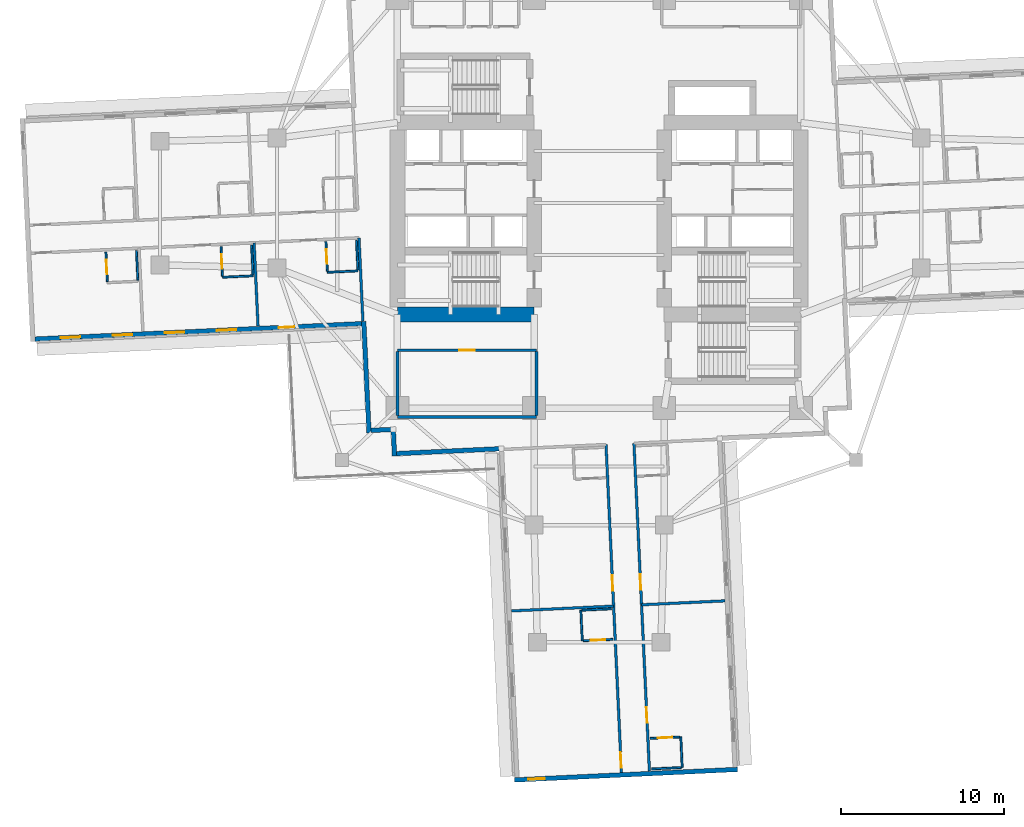
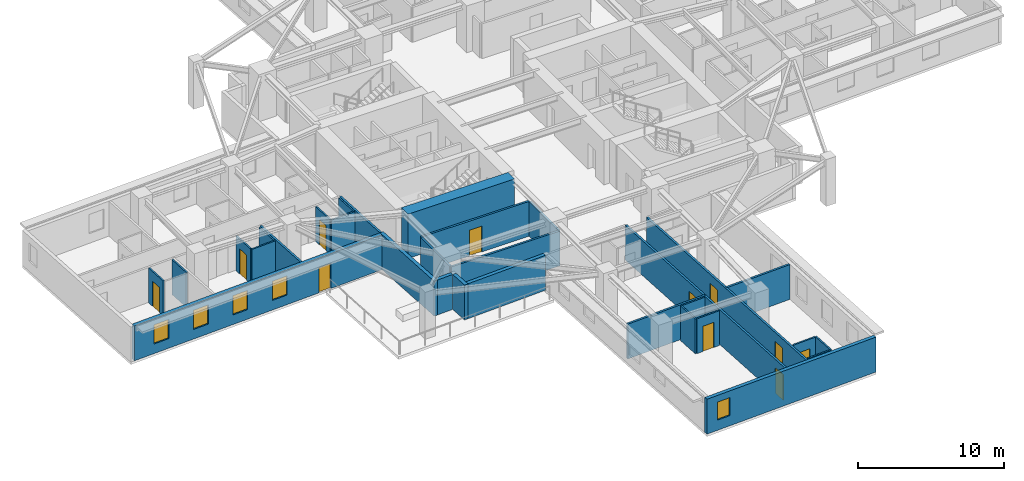
# One storey, part 3 of 14: 31 walls, 11 doors, 5 windows, 16 openings.
"""IFC4 building model written with IfcOpenShell, lengths in metres."""

from ifc_helpers import new_model, si_unit, direction, frame, frame_2d, origin, place, context, subcontext, project, spatial, rectangle, extrude, material, layer, layer_set, type_object, element, fill, save


model = new_model("IFC4")

# Units and contexts
model_context = context("Model", 3, precision=1e-05, world=origin(), true_north=direction((0.0, 1.0)))
body_context = subcontext(model_context, "Body", "Model", "MODEL_VIEW")
ifc_project = project(units=[si_unit("LENGTHUNIT", "METRE"), si_unit("AREAUNIT", "SQUARE_METRE"), si_unit("VOLUMEUNIT", "CUBIC_METRE"), si_unit("PLANEANGLEUNIT", "RADIAN"), si_unit("MASSUNIT", "GRAM", prefix="KILO")], contexts=[model_context])

# Site, building, storey
site_placement = place(None, origin())
site = spatial("IfcSite", under=ifc_project, at=site_placement, CompositionType="ELEMENT")
building_placement = place(site_placement, origin())
building = spatial("IfcBuilding", under=site, at=building_placement, Name="Qingluan Cross Belvedere", CompositionType="ELEMENT")
storey_placement = place(building_placement, frame((0.0, 0.0, 52.199951171875)))
storey = spatial("IfcBuildingStorey", under=building, at=storey_placement, Name="L13", CompositionType="ELEMENT", Elevation=52.199951171875)

# Walls
ifc_material_1 = material(Name="Concrete C70", Category="concrete")
ifc_layer_1 = layer(ifc_material_1, 0.89990234375, Name="CoreShearWall_900")
ifc_layer_set_1 = layer_set([ifc_layer_1], Name="Concrete C70")
wall_type_1 = type_object("IfcWallType", Name="CoreShearWall_900", PredefinedType="SHEAR", material=ifc_layer_set_1)
wall_1_placement = place(storey_placement, frame((-12.39990234375, -6.85009765625, 0.0), z_axis=(0.0, 0.0, 1.0), x_axis=(1.0, 0.0, 0.0)))
element("IfcWall", 1, at=wall_1_placement, inside=storey, type_object=wall_type_1, Name="Split core W shear wall L13-S", PredefinedType="SHEAR", context=body_context, shape_type="SweptSolid", body=[
    extrude(rectangle(XDim=8.39990234375, YDim=0.89990234375, at=frame_2d((4.199951171875, 0.0))), origin(), (0.0, 0.0, 1.0), 3.699951171875),
])
ifc_material_2 = material(Name="Gypsum plasterboard on steel stud acoustic partition", Category="steel")
ifc_layer_2 = layer(ifc_material_2, 0.159912109375, Name="CorridorPartition_160")
ifc_layer_set_2 = layer_set([ifc_layer_2], Name="Gypsum plasterboard on steel stud acoustic partition")
wall_type_2 = type_object("IfcWallType", Name="CorridorPartition_160", PredefinedType="PARTITIONING", material=ifc_layer_set_2)
wall_2_placement = place(storey_placement, frame((-12.39990234375, -13.14990234375, 0.0), z_axis=(0.0, 0.0, 1.0), x_axis=(1.0, 0.0, 0.0)))
element("IfcWall", 2, at=wall_2_placement, inside=storey, type_object=wall_type_2, Name="Partition L13:q_sw:S", PredefinedType="PARTITIONING", context=body_context, shape_type="SweptSolid", body=[
    extrude(rectangle(XDim=8.5498046875, YDim=0.159912109375, at=frame_2d((4.27490234375, 0.0))), origin(), (0.0, 0.0, 1.0), 2.900146484375),
])

# Wall, opening, door
wall_3_placement = place(storey_placement, frame((-12.39990234375, -9.050048828125, 0.0), z_axis=(0.0, 0.0, 1.0), x_axis=(1.0, 0.0, 0.0)))
wall_3 = element("IfcWall", 3, at=wall_3_placement, inside=storey, type_object=wall_type_2, Name="Partition L13:q_sw:N", PredefinedType="PARTITIONING", context=body_context, shape_type="SweptSolid", body=[
    extrude(rectangle(XDim=8.5498046875, YDim=0.159912109375, at=frame_2d((4.27490234375, 0.0))), origin(), (0.0, 0.0, 1.0), 2.900146484375),
])
opening_1_placement = place(wall_3_placement, frame((3.794921875, 0.0, 0.0)))
opening_1 = element("IfcOpeningElement", 4, at=opening_1_placement, cuts=wall_3, Name="Opening GD-10", PredefinedType="OPENING", context=body_context, shape_type="SweptSolid", body=[
    extrude(rectangle(XDim=0.9599609375, YDim=2.14990234375, at=frame_2d((0.47998046875, 1.074951171875))), frame((0.0, 0.08984375, 0.0), z_axis=(0.0, -1.0, 0.0), x_axis=(1.0, 0.0, 0.0)), (0.0, 0.0, 1.0), 0.179931640625),
])
ifc_material_3 = material(Name="Timber oak fire-rated acoustic guestroom door", Category="wood")
door_type_1 = type_object("IfcDoorType", Name="GuestEntryDoor_FD60", OperationType="NOTDEFINED", PredefinedType="DOOR", material=ifc_material_3)
door_1_placement = place(opening_1_placement, origin())
door_1 = element("IfcDoor", 5, at=door_1_placement, inside=storey, type_object=door_type_1, Name="Spa treatment suite L13 door", OperationType="SINGLE_SWING_RIGHT", OverallHeight=2.14990234375, OverallWidth=0.9599609375, PredefinedType="DOOR", context=body_context, shape_type="SweptSolid", body=[
    extrude(rectangle(XDim=0.9599609375, YDim=2.14990234375, at=frame_2d((0.47998046875, 1.074951171875))), frame((0.0, 0.02490234375, 0.0), z_axis=(0.0, -1.0, 0.0), x_axis=(1.0, 0.0, 0.0)), (0.0, 0.0, 1.0), 0.050048828125),
])
fill(opening_1, door_1)

# Walls
for number, where, z_axis, x_axis, name in (
    (6, (-12.39990234375, -13.06494140625, 0.0), (0.0, 0.0, 1.0), (0.0, 1.0, 0.0), "Partition L13:q_sw:W"),
    (7, (-3.85009765625, -13.06494140625, 0.0), (0.0, 0.0, 1.0), (0.0, 1.0, 0.0), "Partition L13:q_sw:E"),
):
    element("IfcWall", number, at=place(storey_placement, frame(where, z_axis=z_axis, x_axis=x_axis)), inside=storey, type_object=wall_type_2, Name=name, PredefinedType="PARTITIONING", context=body_context, shape_type="SweptSolid", body=[
        extrude(rectangle(XDim=3.929931640625, YDim=0.159912109375, at=frame_2d((1.96484375, 0.0))), origin(), (0.0, 0.0, 1.0), 2.900146484375),
    ])
for number, where, z_axis, x_axis, name in (
    (8, (-14.765625, -2.137939453125, 0.0), (0.0, 0.0, 1.0), (0.047095033298, -0.998890413328, 0.0), "Partition L13:W:s1"),
    (9, (-21.21337890625, -2.44189453125, 0.0), (0.0, 0.0, 1.0), (0.047095033298, -0.998890413328, 0.0), "Partition L13:W:d1_0"),
):
    element("IfcWall", number, at=place(storey_placement, frame(where, z_axis=z_axis, x_axis=x_axis)), inside=storey, type_object=wall_type_2, Name=name, PredefinedType="PARTITIONING", context=body_context, shape_type="SweptSolid", body=[
        extrude(rectangle(XDim=5.132080078125, YDim=0.159912109375, at=frame_2d((2.56591796875, 0.0))), origin(), (0.0, 0.0, 1.0), 2.900146484375),
    ])

# Wall, openings, doors
wall_4_placement = place(storey_placement, frame((2.137939453125, -14.765625, 0.0), z_axis=(0.0, 0.0, 1.0), x_axis=(0.047105352469, -0.998889926753, 0.0)))
wall_4 = element("IfcWall", 10, at=wall_4_placement, inside=storey, type_object=wall_type_2, Name="Partition L13:S:c0", PredefinedType="PARTITIONING", context=body_context, shape_type="SweptSolid", body=[
    extrude(rectangle(XDim=20.18212890625, YDim=0.159912109375, at=frame_2d((10.091064453125, 0.0))), origin(), (0.0, 0.0, 1.0), 2.900146484375),
])
opening_2_placement = place(wall_4_placement, frame((8.047119140625, 0.0, 0.0)))
opening_2 = element("IfcOpeningElement", 11, at=opening_2_placement, cuts=wall_4, Name="Opening GD-10", PredefinedType="OPENING", context=body_context, shape_type="SweptSolid", body=[
    extrude(rectangle(XDim=0.9599609375, YDim=2.14990234375, at=frame_2d((0.47998046875, 1.074951171875))), frame((0.0, 0.08984375, 0.0), z_axis=(0.0, -1.0, 0.0), x_axis=(1.0, 0.0, 0.0)), (0.0, 0.0, 1.0), 0.179931640625),
])
opening_3_placement = place(wall_4_placement, frame((16.242919921875, 0.0, 0.0)))
opening_3 = element("IfcOpeningElement", 12, at=opening_3_placement, cuts=wall_4, Name="Opening GD-10", PredefinedType="OPENING", context=body_context, shape_type="SweptSolid", body=[
    extrude(rectangle(XDim=0.9599609375, YDim=2.14990234375, at=frame_2d((0.47998046875, 1.074951171875))), frame((0.0, 0.08984375, 0.0), z_axis=(0.0, -1.0, 0.0), x_axis=(1.0, 0.0, 0.0)), (0.0, 0.0, 1.0), 0.179931640625),
])
door_2_placement = place(opening_2_placement, origin())
door_2 = element("IfcDoor", 13, at=door_2_placement, inside=storey, type_object=door_type_1, Name="Guest entry fire door 1317", OperationType="SINGLE_SWING_LEFT", OverallHeight=2.14990234375, OverallWidth=0.9599609375, PredefinedType="DOOR", context=body_context, shape_type="SweptSolid", body=[
    extrude(rectangle(XDim=0.9599609375, YDim=2.14990234375, at=frame_2d((0.47998046875, 1.074951171875))), frame((0.0, 0.02490234375, 0.0), z_axis=(0.0, -1.0, 0.0), x_axis=(1.0, 0.0, 0.0)), (0.0, 0.0, 1.0), 0.050048828125),
])
fill(opening_2, door_2)
door_3_placement = place(opening_3_placement, origin())
door_3 = element("IfcDoor", 14, at=door_3_placement, inside=storey, type_object=door_type_1, Name="Guest entry fire door 1318", OperationType="SINGLE_SWING_LEFT", OverallHeight=2.14990234375, OverallWidth=0.9599609375, PredefinedType="DOOR", context=body_context, shape_type="SweptSolid", body=[
    extrude(rectangle(XDim=0.9599609375, YDim=2.14990234375, at=frame_2d((0.47998046875, 1.074951171875))), frame((0.0, 0.02490234375, 0.0), z_axis=(0.0, -1.0, 0.0), x_axis=(1.0, 0.0, 0.0)), (0.0, 0.0, 1.0), 0.050048828125),
])
fill(opening_3, door_3)

# Wall
wall_5_placement = place(storey_placement, frame((2.606201171875, -24.695556640625, 0.0), z_axis=(0.0, 0.0, 1.0), x_axis=(0.998890307811, 0.047097271264, 0.0)))
element("IfcWall", 15, at=wall_5_placement, inside=storey, type_object=wall_type_2, Name="Partition L13:S:d0_0", PredefinedType="PARTITIONING", context=body_context, shape_type="SweptSolid", body=[
    extrude(rectangle(XDim=5.1318359375, YDim=0.159912109375, at=frame_2d((2.56591796875, 0.0))), origin(), (0.0, 0.0, 1.0), 2.900146484375),
])

# Wall, openings, doors
wall_6_placement = place(storey_placement, frame((0.419921875, -14.8466796875, 0.0), z_axis=(0.0, 0.0, 1.0), x_axis=(0.047105352469, -0.998889926753, 0.0)))
wall_6 = element("IfcWall", 16, at=wall_6_placement, inside=storey, type_object=wall_type_2, Name="Partition L13:S:c1", PredefinedType="PARTITIONING", context=body_context, shape_type="SweptSolid", body=[
    extrude(rectangle(XDim=20.18212890625, YDim=0.159912109375, at=frame_2d((10.091064453125, 0.0))), origin(), (0.0, 0.0, 1.0), 2.900146484375),
])
opening_4_placement = place(wall_6_placement, frame((8.047119140625, 0.0, 0.0)))
opening_4 = element("IfcOpeningElement", 17, at=opening_4_placement, cuts=wall_6, Name="Opening GD-10", PredefinedType="OPENING", context=body_context, shape_type="SweptSolid", body=[
    extrude(rectangle(XDim=0.9599609375, YDim=2.14990234375, at=frame_2d((0.47998046875, 1.074951171875))), frame((0.0, 0.08984375, 0.0), z_axis=(0.0, -1.0, 0.0), x_axis=(1.0, 0.0, 0.0)), (0.0, 0.0, 1.0), 0.179931640625),
])
opening_5_placement = place(wall_6_placement, frame((18.929931640625, 0.0, 0.0)))
opening_5 = element("IfcOpeningElement", 18, at=opening_5_placement, cuts=wall_6, Name="Opening GD-10", PredefinedType="OPENING", context=body_context, shape_type="SweptSolid", body=[
    extrude(rectangle(XDim=0.9599609375, YDim=2.14990234375, at=frame_2d((0.47998046875, 1.074951171875))), frame((0.0, 0.08984375, 0.0), z_axis=(0.0, -1.0, 0.0), x_axis=(1.0, 0.0, 0.0)), (0.0, 0.0, 1.0), 0.179931640625),
])
door_4_placement = place(opening_4_placement, origin())
door_4 = element("IfcDoor", 19, at=door_4_placement, inside=storey, type_object=door_type_1, Name="Guest entry fire door 1319", OperationType="SINGLE_SWING_LEFT", OverallHeight=2.14990234375, OverallWidth=0.9599609375, PredefinedType="DOOR", context=body_context, shape_type="SweptSolid", body=[
    extrude(rectangle(XDim=0.9599609375, YDim=2.14990234375, at=frame_2d((0.47998046875, 1.074951171875))), frame((0.0, 0.02490234375, 0.0), z_axis=(0.0, -1.0, 0.0), x_axis=(1.0, 0.0, 0.0)), (0.0, 0.0, 1.0), 0.050048828125),
])
fill(opening_4, door_4)
door_5_placement = place(opening_5_placement, origin())
door_5 = element("IfcDoor", 20, at=door_5_placement, inside=storey, type_object=door_type_1, Name="Guest entry fire door 1320", OperationType="SINGLE_SWING_LEFT", OverallHeight=2.14990234375, OverallWidth=0.9599609375, PredefinedType="DOOR", context=body_context, shape_type="SweptSolid", body=[
    extrude(rectangle(XDim=0.9599609375, YDim=2.14990234375, at=frame_2d((0.47998046875, 1.074951171875))), frame((0.0, 0.02490234375, 0.0), z_axis=(0.0, -1.0, 0.0), x_axis=(1.0, 0.0, 0.0)), (0.0, 0.0, 1.0), 0.050048828125),
])
fill(opening_5, door_5)

# Wall
wall_7_placement = place(storey_placement, frame((0.88818359375, -24.776611328125, 0.0), z_axis=(0.0, 0.0, 1.0), x_axis=(-0.998889977605, -0.047104274115, 0.0)))
element("IfcWall", 21, at=wall_7_placement, inside=storey, type_object=wall_type_2, Name="Partition L13:S:d1_0", PredefinedType="PARTITIONING", context=body_context, shape_type="SweptSolid", body=[
    extrude(rectangle(XDim=6.292236328125, YDim=0.159912109375, at=frame_2d((3.14599609375, 0.0))), origin(), (0.0, 0.0, 1.0), 2.900146484375),
])

# Wall, opening, door
ifc_material_4 = material(Name="Moisture-resistant gypsum board lining")
ifc_layer_3 = layer(ifc_material_4, 0.1201171875, Name="EnsuiteWetPartition_120")
ifc_layer_set_3 = layer_set([ifc_layer_3], Name="Moisture-resistant gypsum board lining")
wall_type_3 = type_object("IfcWallType", Name="EnsuiteWetPartition_120", PredefinedType="PARTITIONING", material=ifc_layer_set_3)
wall_8_placement = place(storey_placement, frame((-16.711181640625, -4.19189453125, 0.0), z_axis=(0.0, 0.0, 1.0), x_axis=(-0.047080807099, 0.998891083954, 0.0)))
wall_8 = element("IfcWall", 22, at=wall_8_placement, inside=storey, type_object=wall_type_3, Name="Partition L13:W:bs1_0", PredefinedType="PARTITIONING", context=body_context, shape_type="SweptSolid", body=[
    extrude(rectangle(XDim=1.820068359375, YDim=0.1201171875, at=frame_2d((0.91015625, 0.0))), origin(), (0.0, 0.0, 1.0), 2.900146484375),
])
opening_6_placement = place(wall_8_placement, frame((0.469970703125, 0.0, 0.0)))
opening_6 = element("IfcOpeningElement", 23, at=opening_6_placement, cuts=wall_8, Name="Opening BD-09", PredefinedType="OPENING", context=body_context, shape_type="SweptSolid", body=[
    extrude(rectangle(XDim=0.8798828125, YDim=2.10009765625, at=frame_2d((0.43994140625, 1.050048828125))), frame((0.0, 0.070068359375, 0.0), z_axis=(0.0, -1.0, 0.0), x_axis=(1.0, 0.0, 0.0)), (0.0, 0.0, 1.0), 0.14013671875),
])
ifc_material_5 = material(Name="Moisture-sealed timber en-suite door", Category="wood")
door_type_2 = type_object("IfcDoorType", Name="BathroomDoor_880", OperationType="NOTDEFINED", PredefinedType="DOOR", material=ifc_material_5)
door_6_placement = place(opening_6_placement, origin())
door_6 = element("IfcDoor", 24, at=door_6_placement, inside=storey, type_object=door_type_2, Name="Bathroom door 1310", OperationType="SINGLE_SWING_RIGHT", OverallHeight=2.10009765625, OverallWidth=0.8798828125, PredefinedType="DOOR", context=body_context, shape_type="SweptSolid", body=[
    extrude(rectangle(XDim=0.8798828125, YDim=2.10009765625, at=frame_2d((0.43994140625, 1.050048828125))), frame((0.0, 0.02490234375, 0.0), z_axis=(0.0, -1.0, 0.0), x_axis=(1.0, 0.0, 0.0)), (0.0, 0.0, 1.0), 0.050048828125),
])
fill(opening_6, door_6)

# Walls
wall_9_placement = place(storey_placement, frame((-14.833251953125, -4.103271484375, 0.0), z_axis=(0.0, 0.0, 1.0), x_axis=(-0.047087116047, 0.998890786574, 0.0)))
element("IfcWall", 25, at=wall_9_placement, inside=storey, type_object=wall_type_3, Name="Partition L13:W:bw1_0", PredefinedType="PARTITIONING", context=body_context, shape_type="SweptSolid", body=[
    extrude(rectangle(XDim=1.81982421875, YDim=0.1201171875, at=frame_2d((0.909912109375, 0.0))), origin(), (0.0, 0.0, 1.0), 2.900146484375),
])
wall_10_placement = place(storey_placement, frame((-14.830078125, -4.168212890625, 0.0), z_axis=(0.0, 0.0, 1.0), x_axis=(-0.998888319371, -0.047139425368, 0.0)))
element("IfcWall", 26, at=wall_10_placement, inside=storey, type_object=wall_type_3, Name="Partition L13:W:bc1_0", PredefinedType="PARTITIONING", context=body_context, shape_type="SweptSolid", body=[
    extrude(rectangle(XDim=1.880126953125, YDim=0.1201171875, at=frame_2d((0.93994140625, 0.0))), origin(), (0.0, 0.0, 1.0), 2.900146484375),
])

# Wall, opening, door
wall_11_placement = place(storey_placement, frame((-23.158935546875, -4.495849609375, 0.0), z_axis=(0.0, 0.0, 1.0), x_axis=(-0.047087116047, 0.998890786574, 0.0)))
wall_11 = element("IfcWall", 27, at=wall_11_placement, inside=storey, type_object=wall_type_3, Name="Partition L13:W:bs1_1", PredefinedType="PARTITIONING", context=body_context, shape_type="SweptSolid", body=[
    extrude(rectangle(XDim=1.81982421875, YDim=0.1201171875, at=frame_2d((0.909912109375, 0.0))), origin(), (0.0, 0.0, 1.0), 2.900146484375),
])
opening_7_placement = place(wall_11_placement, frame((0.469970703125, 0.0, 0.0)))
opening_7 = element("IfcOpeningElement", 28, at=opening_7_placement, cuts=wall_11, Name="Opening BD-09", PredefinedType="OPENING", context=body_context, shape_type="SweptSolid", body=[
    extrude(rectangle(XDim=0.8798828125, YDim=2.10009765625, at=frame_2d((0.43994140625, 1.050048828125))), frame((0.0, 0.070068359375, 0.0), z_axis=(0.0, -1.0, 0.0), x_axis=(1.0, 0.0, 0.0)), (0.0, 0.0, 1.0), 0.14013671875),
])
door_7_placement = place(opening_7_placement, origin())
door_7 = element("IfcDoor", 29, at=door_7_placement, inside=storey, type_object=door_type_2, Name="Bathroom door 1311", OperationType="SINGLE_SWING_RIGHT", OverallHeight=2.10009765625, OverallWidth=0.8798828125, PredefinedType="DOOR", context=body_context, shape_type="SweptSolid", body=[
    extrude(rectangle(XDim=0.8798828125, YDim=2.10009765625, at=frame_2d((0.43994140625, 1.050048828125))), frame((0.0, 0.02490234375, 0.0), z_axis=(0.0, -1.0, 0.0), x_axis=(1.0, 0.0, 0.0)), (0.0, 0.0, 1.0), 0.050048828125),
])
fill(opening_7, door_7)

# Walls
wall_12_placement = place(storey_placement, frame((-21.281005859375, -4.407470703125, 0.0), z_axis=(0.0, 0.0, 1.0), x_axis=(-0.047080807099, 0.998891083954, 0.0)))
element("IfcWall", 30, at=wall_12_placement, inside=storey, type_object=wall_type_3, Name="Partition L13:W:bw1_1", PredefinedType="PARTITIONING", context=body_context, shape_type="SweptSolid", body=[
    extrude(rectangle(XDim=1.820068359375, YDim=0.1201171875, at=frame_2d((0.91015625, 0.0))), origin(), (0.0, 0.0, 1.0), 2.900146484375),
])
wall_13_placement = place(storey_placement, frame((-21.27783203125, -4.472412109375, 0.0), z_axis=(0.0, 0.0, 1.0), x_axis=(-0.998894712685, -0.047003754841, 0.0)))
element("IfcWall", 31, at=wall_13_placement, inside=storey, type_object=wall_type_3, Name="Partition L13:W:bc1_1", PredefinedType="PARTITIONING", context=body_context, shape_type="SweptSolid", body=[
    extrude(rectangle(XDim=1.88037109375, YDim=0.1201171875, at=frame_2d((0.940185546875, 0.0))), origin(), (0.0, 0.0, 1.0), 2.900146484375),
])

# Wall, opening, door
wall_14_placement = place(storey_placement, frame((-30.236083984375, -4.82958984375, 0.0), z_axis=(0.0, 0.0, 1.0), x_axis=(-0.047087116047, 0.998890786574, 0.0)))
wall_14 = element("IfcWall", 32, at=wall_14_placement, inside=storey, type_object=wall_type_3, Name="Partition L13:W:bs1_2", PredefinedType="PARTITIONING", context=body_context, shape_type="SweptSolid", body=[
    extrude(rectangle(XDim=1.81982421875, YDim=0.1201171875, at=frame_2d((0.909912109375, 0.0))), origin(), (0.0, 0.0, 1.0), 2.900146484375),
])
opening_8_placement = place(wall_14_placement, frame((0.469970703125, 0.0, 0.0)))
opening_8 = element("IfcOpeningElement", 33, at=opening_8_placement, cuts=wall_14, Name="Opening BD-09", PredefinedType="OPENING", context=body_context, shape_type="SweptSolid", body=[
    extrude(rectangle(XDim=0.8798828125, YDim=2.10009765625, at=frame_2d((0.43994140625, 1.050048828125))), frame((0.0, 0.070068359375, 0.0), z_axis=(0.0, -1.0, 0.0), x_axis=(1.0, 0.0, 0.0)), (0.0, 0.0, 1.0), 0.14013671875),
])
door_8_placement = place(opening_8_placement, origin())
door_8 = element("IfcDoor", 34, at=door_8_placement, inside=storey, type_object=door_type_2, Name="Bathroom door 1312", OperationType="SINGLE_SWING_RIGHT", OverallHeight=2.10009765625, OverallWidth=0.8798828125, PredefinedType="DOOR", context=body_context, shape_type="SweptSolid", body=[
    extrude(rectangle(XDim=0.8798828125, YDim=2.10009765625, at=frame_2d((0.43994140625, 1.050048828125))), frame((0.0, 0.02490234375, 0.0), z_axis=(0.0, -1.0, 0.0), x_axis=(1.0, 0.0, 0.0)), (0.0, 0.0, 1.0), 0.050048828125),
])
fill(opening_8, door_8)

# Wall
wall_15_placement = place(storey_placement, frame((-28.358154296875, -4.7412109375, 0.0), z_axis=(0.0, 0.0, 1.0), x_axis=(-0.047080807099, 0.998891083954, 0.0)))
element("IfcWall", 35, at=wall_15_placement, inside=storey, type_object=wall_type_3, Name="Partition L13:W:bw1_2", PredefinedType="PARTITIONING", context=body_context, shape_type="SweptSolid", body=[
    extrude(rectangle(XDim=1.820068359375, YDim=0.1201171875, at=frame_2d((0.91015625, 0.0))), origin(), (0.0, 0.0, 1.0), 2.900146484375),
])

# Wall, opening, door
wall_16_placement = place(storey_placement, frame((3.1337890625, -32.908935546875, 0.0), z_axis=(0.0, 0.0, 1.0), x_axis=(0.998890786574, 0.047087116047, 0.0)))
wall_16 = element("IfcWall", 36, at=wall_16_placement, inside=storey, type_object=wall_type_3, Name="Partition L13:S:bs0_1", PredefinedType="PARTITIONING", context=body_context, shape_type="SweptSolid", body=[
    extrude(rectangle(XDim=1.81982421875, YDim=0.1201171875, at=frame_2d((0.909912109375, 0.0))), origin(), (0.0, 0.0, 1.0), 2.900146484375),
])
opening_9_placement = place(wall_16_placement, frame((0.469970703125, 0.0, 0.0)))
opening_9 = element("IfcOpeningElement", 37, at=opening_9_placement, cuts=wall_16, Name="Opening BD-09", PredefinedType="OPENING", context=body_context, shape_type="SweptSolid", body=[
    extrude(rectangle(XDim=0.8798828125, YDim=2.10009765625, at=frame_2d((0.43994140625, 1.050048828125))), frame((0.0, 0.070068359375, 0.0), z_axis=(0.0, -1.0, 0.0), x_axis=(1.0, 0.0, 0.0)), (0.0, 0.0, 1.0), 0.14013671875),
])
door_9_placement = place(opening_9_placement, origin())
door_9 = element("IfcDoor", 38, at=door_9_placement, inside=storey, type_object=door_type_2, Name="Bathroom door 1318", OperationType="SINGLE_SWING_RIGHT", OverallHeight=2.10009765625, OverallWidth=0.8798828125, PredefinedType="DOOR", context=body_context, shape_type="SweptSolid", body=[
    extrude(rectangle(XDim=0.8798828125, YDim=2.10009765625, at=frame_2d((0.43994140625, 1.050048828125))), frame((0.0, 0.02490234375, 0.0), z_axis=(0.0, -1.0, 0.0), x_axis=(1.0, 0.0, 0.0)), (0.0, 0.0, 1.0), 0.050048828125),
])
fill(opening_9, door_9)

# Walls
wall_17_placement = place(storey_placement, frame((3.222412109375, -34.786865234375, 0.0), z_axis=(0.0, 0.0, 1.0), x_axis=(0.998890786574, 0.047087116047, 0.0)))
element("IfcWall", 39, at=wall_17_placement, inside=storey, type_object=wall_type_3, Name="Partition L13:S:bw0_1", PredefinedType="PARTITIONING", context=body_context, shape_type="SweptSolid", body=[
    extrude(rectangle(XDim=1.81982421875, YDim=0.1201171875, at=frame_2d((0.909912109375, 0.0))), origin(), (0.0, 0.0, 1.0), 2.900146484375),
])
wall_18_placement = place(storey_placement, frame((5.0166015625, -32.820068359375, 0.0), z_axis=(0.0, 0.0, 1.0), x_axis=(0.047139425368, -0.998888319371, 0.0)))
element("IfcWall", 40, at=wall_18_placement, inside=storey, type_object=wall_type_3, Name="Partition L13:S:bn0_1", PredefinedType="PARTITIONING", context=body_context, shape_type="SweptSolid", body=[
    extrude(rectangle(XDim=1.880126953125, YDim=0.1201171875, at=frame_2d((0.93994140625, 0.0))), origin(), (0.0, 0.0, 1.0), 2.900146484375),
])

# Wall, opening, door
wall_19_placement = place(storey_placement, frame((-0.9736328125, -26.90673828125, 0.0), z_axis=(0.0, 0.0, 1.0), x_axis=(0.998891083954, 0.047080807099, 0.0)))
wall_19 = element("IfcWall", 41, at=wall_19_placement, inside=storey, type_object=wall_type_3, Name="Partition L13:S:bs1_1", PredefinedType="PARTITIONING", context=body_context, shape_type="SweptSolid", body=[
    extrude(rectangle(XDim=1.820068359375, YDim=0.1201171875, at=frame_2d((0.91015625, 0.0))), origin(), (0.0, 0.0, 1.0), 2.900146484375),
])
opening_10_placement = place(wall_19_placement, frame((0.469970703125, 0.0, 0.0)))
opening_10 = element("IfcOpeningElement", 42, at=opening_10_placement, cuts=wall_19, Name="Opening BD-09", PredefinedType="OPENING", context=body_context, shape_type="SweptSolid", body=[
    extrude(rectangle(XDim=0.8798828125, YDim=2.10009765625, at=frame_2d((0.43994140625, 1.050048828125))), frame((0.0, 0.070068359375, 0.0), z_axis=(0.0, -1.0, 0.0), x_axis=(1.0, 0.0, 0.0)), (0.0, 0.0, 1.0), 0.14013671875),
])
door_10_placement = place(opening_10_placement, origin())
door_10 = element("IfcDoor", 43, at=door_10_placement, inside=storey, type_object=door_type_2, Name="Bathroom door 1320", OperationType="SINGLE_SWING_RIGHT", OverallHeight=2.10009765625, OverallWidth=0.8798828125, PredefinedType="DOOR", context=body_context, shape_type="SweptSolid", body=[
    extrude(rectangle(XDim=0.8798828125, YDim=2.10009765625, at=frame_2d((0.43994140625, 1.050048828125))), frame((0.0, 0.02490234375, 0.0), z_axis=(0.0, -1.0, 0.0), x_axis=(1.0, 0.0, 0.0)), (0.0, 0.0, 1.0), 0.050048828125),
])
fill(opening_10, door_10)

# Walls
wall_20_placement = place(storey_placement, frame((-1.062255859375, -25.02880859375, 0.0), z_axis=(0.0, 0.0, 1.0), x_axis=(0.998891083954, 0.047080807099, 0.0)))
element("IfcWall", 44, at=wall_20_placement, inside=storey, type_object=wall_type_3, Name="Partition L13:S:bw1_1", PredefinedType="PARTITIONING", context=body_context, shape_type="SweptSolid", body=[
    extrude(rectangle(XDim=1.820068359375, YDim=0.1201171875, at=frame_2d((0.91015625, 0.0))), origin(), (0.0, 0.0, 1.0), 2.900146484375),
])
wall_21_placement = place(storey_placement, frame((-1.127197265625, -25.031982421875, 0.0), z_axis=(0.0, 0.0, 1.0), x_axis=(0.047139425368, -0.998888319371, 0.0)))
element("IfcWall", 45, at=wall_21_placement, inside=storey, type_object=wall_type_3, Name="Partition L13:S:bc1_1", PredefinedType="PARTITIONING", context=body_context, shape_type="SweptSolid", body=[
    extrude(rectangle(XDim=1.880126953125, YDim=0.1201171875, at=frame_2d((0.93994140625, 0.0))), origin(), (0.0, 0.0, 1.0), 2.900146484375),
])

# Wall, openings, windows, door
ifc_material_6 = material(Name="Precast concrete C45", Category="concrete")
ifc_layer_4 = layer(ifc_material_6, 0.280029296875, Name="PrecastFacadeWall_280")
ifc_layer_set_4 = layer_set([ifc_layer_4], Name="Precast concrete C45")
wall_type_4 = type_object("IfcWallType", Name="PrecastFacadeWall_280", PredefinedType="STANDARD", material=ifc_layer_set_4)
wall_22_placement = place(storey_placement, frame((-34.6845703125, -8.363037109375, 0.0), z_axis=(0.0, 0.0, 1.0), x_axis=(0.998890015344, 0.047103473814, 0.0)))
wall_22 = element("IfcWall", 46, at=wall_22_placement, inside=storey, type_object=wall_type_4, Name="Facade wall L13-WB", PredefinedType="STANDARD", context=body_context, shape_type="SweptSolid", body=[
    extrude(rectangle(XDim=20.099853515625, YDim=0.280029296875, at=frame_2d((10.0498046875, 0.0))), origin(), (0.0, 0.0, 1.0), 2.91015625),
])
opening_11_placement = place(wall_22_placement, frame((1.60009765625, 0.0, 0.800048828125)))
opening_11 = element("IfcOpeningElement", 47, at=opening_11_placement, cuts=wall_22, Name="Opening W-02", PredefinedType="OPENING", context=body_context, shape_type="SweptSolid", body=[
    extrude(rectangle(XDim=1.199951171875, YDim=1.60009765625, at=frame_2d((0.60009765625, 0.800048828125))), frame((0.0, 0.14990234375, 0.0), z_axis=(0.0, -1.0, 0.0), x_axis=(1.0, 0.0, 0.0)), (0.0, 0.0, 1.0), 0.300048828125),
])
opening_12_placement = place(wall_22_placement, frame((4.800048828125, 0.0, 0.800048828125)))
opening_12 = element("IfcOpeningElement", 48, at=opening_12_placement, cuts=wall_22, Name="Opening W-02", PredefinedType="OPENING", context=body_context, shape_type="SweptSolid", body=[
    extrude(rectangle(XDim=1.199951171875, YDim=1.60009765625, at=frame_2d((0.60009765625, 0.800048828125))), frame((0.0, 0.14990234375, 0.0), z_axis=(0.0, -1.0, 0.0), x_axis=(1.0, 0.0, 0.0)), (0.0, 0.0, 1.0), 0.300048828125),
])
opening_13_placement = place(wall_22_placement, frame((8.0, 0.0, 0.800048828125)))
opening_13 = element("IfcOpeningElement", 49, at=opening_13_placement, cuts=wall_22, Name="Opening W-02", PredefinedType="OPENING", context=body_context, shape_type="SweptSolid", body=[
    extrude(rectangle(XDim=1.199951171875, YDim=1.60009765625, at=frame_2d((0.60009765625, 0.800048828125))), frame((0.0, 0.14990234375, 0.0), z_axis=(0.0, -1.0, 0.0), x_axis=(1.0, 0.0, 0.0)), (0.0, 0.0, 1.0), 0.300048828125),
])
opening_14_placement = place(wall_22_placement, frame((11.199951171875, 0.0, 0.800048828125)))
opening_14 = element("IfcOpeningElement", 50, at=opening_14_placement, cuts=wall_22, Name="Opening W-02", PredefinedType="OPENING", context=body_context, shape_type="SweptSolid", body=[
    extrude(rectangle(XDim=1.199951171875, YDim=1.60009765625, at=frame_2d((0.60009765625, 0.800048828125))), frame((0.0, 0.14990234375, 0.0), z_axis=(0.0, -1.0, 0.0), x_axis=(1.0, 0.0, 0.0)), (0.0, 0.0, 1.0), 0.300048828125),
])
opening_15_placement = place(wall_22_placement, frame((15.0, 0.0, 0.0)))
opening_15 = element("IfcOpeningElement", 51, at=opening_15_placement, cuts=wall_22, Name="Opening WD-10", PredefinedType="OPENING", context=body_context, shape_type="SweptSolid", body=[
    extrude(rectangle(XDim=0.9599609375, YDim=2.10009765625, at=frame_2d((0.47998046875, 1.050048828125))), frame((0.0, 0.14990234375, 0.0), z_axis=(0.0, -1.0, 0.0), x_axis=(1.0, 0.0, 0.0)), (0.0, 0.0, 1.0), 0.300048828125),
])
ifc_material_7 = material(Name="Thermally broken triple Low-E glass in aluminium frame", Category="aluminium")
window_type_1 = type_object("IfcWindowType", Name="TriRibbonWin_1200x1600", PartitioningType="SINGLE_PANEL", PredefinedType="WINDOW", material=ifc_material_7)
window_1_placement = place(opening_11_placement, origin())
window_1 = element("IfcWindow", 52, at=window_1_placement, inside=storey, type_object=window_type_1, Name="Ribbon window L13-WB-1", OverallHeight=1.60009765625, OverallWidth=1.199951171875, PartitioningType="SINGLE_PANEL", PredefinedType="WINDOW", context=body_context, shape_type="SweptSolid", body=[
    extrude(rectangle(XDim=1.199951171875, YDim=1.60009765625, at=frame_2d((0.60009765625, 0.800048828125))), frame((0.0, 0.030029296875, 0.0), z_axis=(0.0, -1.0, 0.0), x_axis=(1.0, 0.0, 0.0)), (0.0, 0.0, 1.0), 0.06005859375),
])
fill(opening_11, window_1)
window_2_placement = place(opening_12_placement, origin())
window_2 = element("IfcWindow", 53, at=window_2_placement, inside=storey, type_object=window_type_1, Name="Ribbon window L13-WB-2", OverallHeight=1.60009765625, OverallWidth=1.199951171875, PartitioningType="SINGLE_PANEL", PredefinedType="WINDOW", context=body_context, shape_type="SweptSolid", body=[
    extrude(rectangle(XDim=1.199951171875, YDim=1.60009765625, at=frame_2d((0.60009765625, 0.800048828125))), frame((0.0, 0.030029296875, 0.0), z_axis=(0.0, -1.0, 0.0), x_axis=(1.0, 0.0, 0.0)), (0.0, 0.0, 1.0), 0.06005859375),
])
fill(opening_12, window_2)
window_3_placement = place(opening_13_placement, origin())
window_3 = element("IfcWindow", 54, at=window_3_placement, inside=storey, type_object=window_type_1, Name="Ribbon window L13-WB-3", OverallHeight=1.60009765625, OverallWidth=1.199951171875, PartitioningType="SINGLE_PANEL", PredefinedType="WINDOW", context=body_context, shape_type="SweptSolid", body=[
    extrude(rectangle(XDim=1.199951171875, YDim=1.60009765625, at=frame_2d((0.60009765625, 0.800048828125))), frame((0.0, 0.030029296875, 0.0), z_axis=(0.0, -1.0, 0.0), x_axis=(1.0, 0.0, 0.0)), (0.0, 0.0, 1.0), 0.06005859375),
])
fill(opening_13, window_3)
window_4_placement = place(opening_14_placement, origin())
window_4 = element("IfcWindow", 55, at=window_4_placement, inside=storey, type_object=window_type_1, Name="Ribbon window L13-WB-4", OverallHeight=1.60009765625, OverallWidth=1.199951171875, PartitioningType="SINGLE_PANEL", PredefinedType="WINDOW", context=body_context, shape_type="SweptSolid", body=[
    extrude(rectangle(XDim=1.199951171875, YDim=1.60009765625, at=frame_2d((0.60009765625, 0.800048828125))), frame((0.0, 0.030029296875, 0.0), z_axis=(0.0, -1.0, 0.0), x_axis=(1.0, 0.0, 0.0)), (0.0, 0.0, 1.0), 0.06005859375),
])
fill(opening_14, window_4)
ifc_material_8 = material(Name="Thermally broken aluminium and Low-E glass", Category="aluminium")
door_type_3 = type_object("IfcDoorType", Name="WinterGardenDoor_096", OperationType="NOTDEFINED", PredefinedType="DOOR", material=ifc_material_8)
door_11_placement = place(opening_15_placement, origin())
door_11 = element("IfcDoor", 56, at=door_11_placement, inside=storey, type_object=door_type_3, Name="Outdoor terrace access door L13-spi", OperationType="SINGLE_SWING_LEFT", OverallHeight=2.10009765625, OverallWidth=0.9599609375, PredefinedType="DOOR", context=body_context, shape_type="SweptSolid", body=[
    extrude(rectangle(XDim=0.9599609375, YDim=2.10009765625, at=frame_2d((0.47998046875, 1.050048828125))), frame((0.0, 0.02490234375, 0.0), z_axis=(0.0, -1.0, 0.0), x_axis=(1.0, 0.0, 0.0)), (0.0, 0.0, 1.0), 0.050048828125),
])
fill(opening_15, door_11)

# Wall, opening, window
wall_23_placement = place(storey_placement, frame((-5.1953125, -35.464111328125, 0.0), z_axis=(0.0, 0.0, 1.0), x_axis=(0.998890092147, 0.047101845086, 0.0)))
wall_23 = element("IfcWall", 57, at=wall_23_placement, inside=storey, type_object=wall_type_4, Name="Arm tip precast facade wall L13-S", PredefinedType="STANDARD", context=body_context, shape_type="SweptSolid", body=[
    extrude(rectangle(XDim=13.719970703125, YDim=0.280029296875, at=frame_2d((6.85986328125, 0.0))), origin(), (0.0, 0.0, 1.0), 2.91015625),
])
opening_16_placement = place(wall_23_placement, frame((0.85009765625, 0.0, 0.85009765625)))
opening_16 = element("IfcOpeningElement", 58, at=opening_16_placement, cuts=wall_23, Name="Opening W-03", PredefinedType="OPENING", context=body_context, shape_type="SweptSolid", body=[
    extrude(rectangle(XDim=1.0, YDim=1.5, at=frame_2d((0.5, 0.75))), frame((0.0, 0.14990234375, 0.0), z_axis=(0.0, -1.0, 0.0), x_axis=(1.0, 0.0, 0.0)), (0.0, 0.0, 1.0), 0.300048828125),
])
ifc_material_9 = material(Name="Thermally broken triple Low-E glass in aluminium frame", Category="aluminium")
window_type_2 = type_object("IfcWindowType", Name="TriApexWin_1000x1500", PartitioningType="SINGLE_PANEL", PredefinedType="WINDOW", material=ifc_material_9)
window_5_placement = place(opening_16_placement, origin())
window_5 = element("IfcWindow", 59, at=window_5_placement, inside=storey, type_object=window_type_2, Name="Arm tip triangular window L13-S", OverallHeight=1.5, OverallWidth=1.0, PartitioningType="SINGLE_PANEL", PredefinedType="WINDOW", context=body_context, shape_type="SweptSolid", body=[
    extrude(rectangle(XDim=1.0, YDim=1.5, at=frame_2d((0.5, 0.75))), frame((0.0, 0.030029296875, 0.0), z_axis=(0.0, -1.0, 0.0), x_axis=(1.0, 0.0, 0.0)), (0.0, 0.0, 1.0), 0.06005859375),
])
fill(opening_16, window_5)

# Walls
wall_24_placement = place(storey_placement, frame((-14.4736328125, -7.27001953125, 0.0), z_axis=(0.0, 0.0, 1.0), x_axis=(0.04712043756, -0.998889215261, 0.0)))
element("IfcWall", 60, at=wall_24_placement, inside=storey, type_object=wall_type_4, Name="Corner wall L13-SW1", PredefinedType="STANDARD", context=body_context, shape_type="SweptSolid", body=[
    extrude(rectangle(XDim=6.85986328125, YDim=0.280029296875, at=frame_2d((3.429931640625, 0.0))), origin(), (0.0, 0.0, 1.0), 2.91015625),
])
wall_25_placement = place(storey_placement, frame((-14.01708984375, -13.975830078125, 0.0), z_axis=(0.0, 0.0, 1.0), x_axis=(0.998883930236, 0.047232339719, 0.0)))
element("IfcWall", 61, at=wall_25_placement, inside=storey, type_object=wall_type_4, Name="Corner wall L13-SW2", PredefinedType="STANDARD", context=body_context, shape_type="SweptSolid", body=[
    extrude(rectangle(XDim=1.219970703125, YDim=0.280029296875, at=frame_2d((0.60986328125, 0.0))), origin(), (0.0, 0.0, 1.0), 2.91015625),
])
wall_26_placement = place(storey_placement, frame((-12.652099609375, -14.051513671875, 0.0), z_axis=(0.0, 0.0, 1.0), x_axis=(0.047039284441, -0.99889304018, 0.0)))
element("IfcWall", 62, at=wall_26_placement, inside=storey, type_object=wall_type_4, Name="Corner wall L13-SW3", PredefinedType="STANDARD", context=body_context, shape_type="SweptSolid", body=[
    extrude(rectangle(XDim=1.5, YDim=0.280029296875, at=frame_2d((0.75, 0.0))), origin(), (0.0, 0.0, 1.0), 2.91015625),
])
wall_27_placement = place(storey_placement, frame((-12.4482421875, -15.403564453125, 0.0), z_axis=(0.0, 0.0, 1.0), x_axis=(0.998889082162, 0.047123258997, 0.0)))
element("IfcWall", 63, at=wall_27_placement, inside=storey, type_object=wall_type_4, Name="Corner wall L13-SW4", PredefinedType="STANDARD", context=body_context, shape_type="SweptSolid", body=[
    extrude(rectangle(XDim=6.300048828125, YDim=0.280029296875, at=frame_2d((3.14990234375, 0.0))), origin(), (0.0, 0.0, 1.0), 2.91015625),
])

save(model, "model.ifc")
